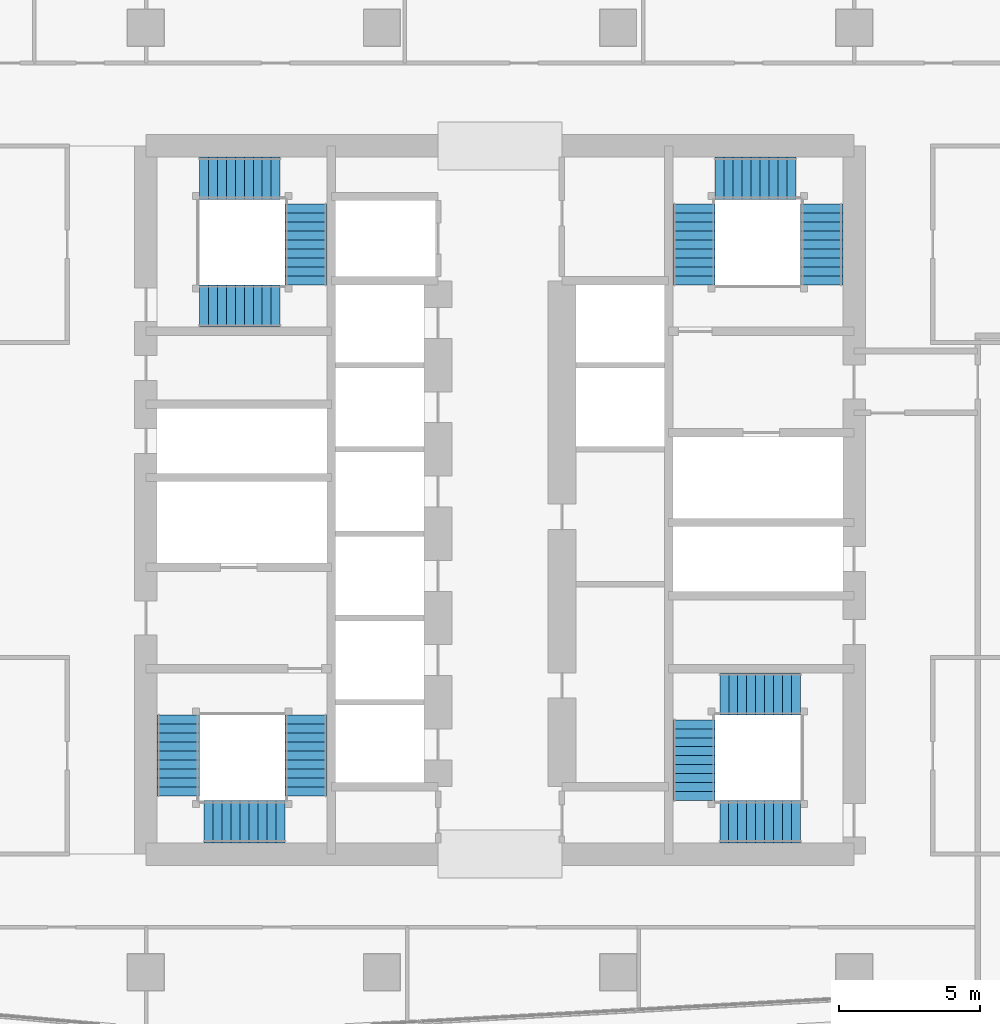
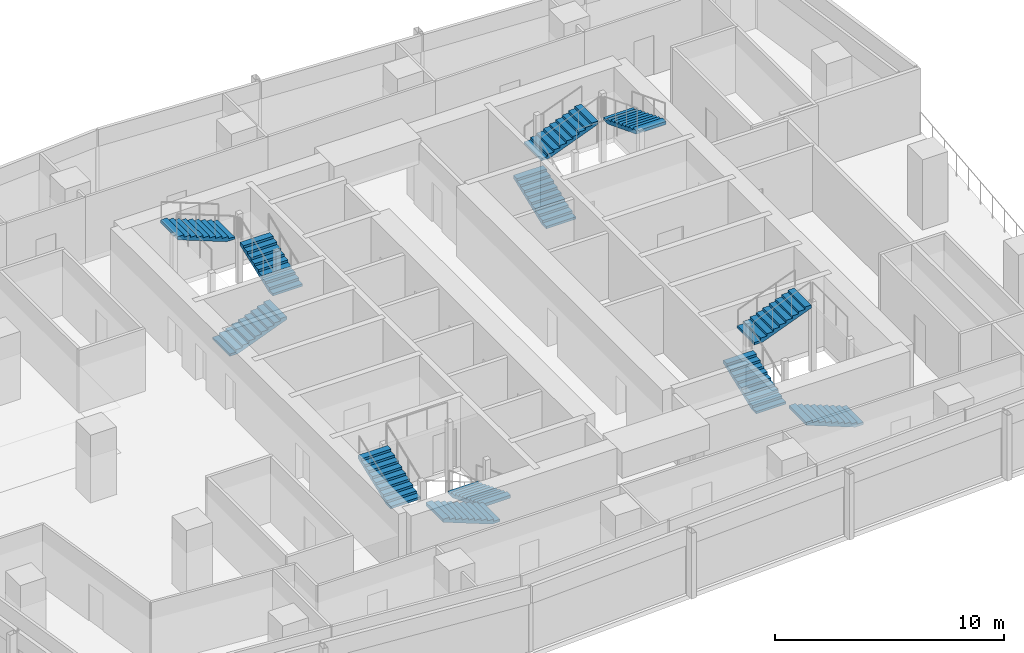
# One storey, part 23 of 28: 12 stair flights, 4 elements without a shape of their own.
"""IFC4 building model written with IfcOpenShell, lengths in metres."""

from ifc_helpers import new_model, si_unit, direction, frame, origin, place, context, subcontext, project, spatial, polyline, outline, extrude, material, type_object, element, aggregate, save


model = new_model("IFC4")

# Units and contexts
model_context = context("Model", 3, precision=1e-05, world=origin(), true_north=direction((0.0, 1.0)))
body_context = subcontext(model_context, "Body", "Model", "MODEL_VIEW")
ifc_project = project(units=[si_unit("LENGTHUNIT", "METRE"), si_unit("AREAUNIT", "SQUARE_METRE"), si_unit("VOLUMEUNIT", "CUBIC_METRE"), si_unit("PLANEANGLEUNIT", "RADIAN"), si_unit("MASSUNIT", "GRAM", prefix="KILO")], contexts=[model_context])

# Site, building, storey
site_placement = place(None, origin())
site = spatial("IfcSite", under=ifc_project, at=site_placement, CompositionType="ELEMENT")
building_placement = place(site_placement, origin())
building = spatial("IfcBuilding", under=site, at=building_placement, Name="Rekha Terrace Tower", CompositionType="ELEMENT")
storey_placement = place(building_placement, frame((0.0, 0.0, 253.85009765625)))
storey = spatial("IfcBuildingStorey", under=building, at=storey_placement, Name="L64", CompositionType="ELEMENT", Elevation=253.85009765625)

# Stair, stair flights
ifc_material = material(Name="Concrete M40", Category="concrete")
stair_type = type_object("IfcStairType", Name="ST30 stair, 30 risers of 125, going 320, 1500 wide flights, 3 flights", PredefinedType="HALF_TURN_STAIR", material=ifc_material)
stair_1_placement = place(storey_placement, origin())
stair_1 = element("IfcStair", 1, at=stair_1_placement, inside=storey, type_object=stair_type, Name="Stair ST1 L64 to L65", PredefinedType="HALF_TURN_STAIR")
stair_flight_type = type_object("IfcStairFlightType", Name="SF10 stair flight, 10 risers of 125, going 320, 1500 wide", PredefinedType="STRAIGHT", material=ifc_material)
stair_flight_1_placement = place(storey_placement, frame((30.89990234375, 25.949951171875, 0.0), z_axis=(0.0, 0.0, 1.0), x_axis=(0.0, -1.0, 0.0)))
stair_flight_1 = element("IfcStairFlight", 2, at=stair_flight_1_placement, type_object=stair_flight_type, Name="ST1 flight 1", NumberOfRisers=10, NumberOfTreads=9, PredefinedType="STRAIGHT", RiserHeight=0.125, TreadLength=0.32, context=body_context, shape_type="SweptSolid", body=[
    extrude(outline(polyline([(0.0, 0.0), (0.0, 0.125), (0.320068359375, 0.125), (0.320068359375, 0.25), (0.639892578125, 0.25), (0.639892578125, 0.375), (0.9599609375, 0.375), (0.9599609375, 0.5), (1.280029296875, 0.5), (1.280029296875, 0.625), (1.60009765625, 0.625), (1.60009765625, 0.75), (1.919921875, 0.75), (1.919921875, 0.875), (2.239990234375, 0.875), (2.239990234375, 1.0), (2.56005859375, 1.0), (2.56005859375, 1.125), (2.8798828125, 1.125), (2.8798828125, 1.25), (2.8798828125, 0.964111328125), (0.412109375, 0.0), (0.0, 0.0)])), frame((0.0, 0.75, 0.0), z_axis=(0.0, -1.0, 0.0), x_axis=(1.0, 0.0, 0.0)), (0.0, 0.0, 1.0), 1.5),
])
stair_flight_2_placement = place(storey_placement, frame((30.14990234375, 22.14990234375, 1.25), z_axis=(0.0, 0.0, 1.0), x_axis=(-1.0, 0.0, 0.0)))
stair_flight_2 = element("IfcStairFlight", 3, at=stair_flight_2_placement, type_object=stair_flight_type, Name="ST1 flight 2", NumberOfRisers=10, NumberOfTreads=9, PredefinedType="STRAIGHT", RiserHeight=0.125, TreadLength=0.32, context=body_context, shape_type="SweptSolid", body=[
    extrude(outline(polyline([(0.0, 0.0), (0.0, 0.125), (0.320068359375, 0.125), (0.320068359375, 0.25), (0.639892578125, 0.25), (0.639892578125, 0.375), (0.9599609375, 0.375), (0.9599609375, 0.5), (1.280029296875, 0.5), (1.280029296875, 0.625), (1.60009765625, 0.625), (1.60009765625, 0.75), (1.919921875, 0.75), (1.919921875, 0.875), (2.239990234375, 0.875), (2.239990234375, 1.0), (2.56005859375, 1.0), (2.56005859375, 1.125), (2.8798828125, 1.125), (2.8798828125, 1.25), (2.8798828125, 0.964111328125), (0.412109375, 0.0), (0.0, 0.0)])), frame((0.0, 0.75, 0.0), z_axis=(0.0, -1.0, 0.0), x_axis=(1.0, 0.0, 0.0)), (0.0, 0.0, 1.0), 1.5),
])
stair_flight_3_placement = place(storey_placement, frame((26.35009765625, 23.070068359375, 2.5), z_axis=(0.0, 0.0, 1.0), x_axis=(0.0, 1.0, 0.0)))
stair_flight_3 = element("IfcStairFlight", 4, at=stair_flight_3_placement, type_object=stair_flight_type, Name="ST1 flight 3", NumberOfRisers=10, NumberOfTreads=9, PredefinedType="STRAIGHT", RiserHeight=0.125, TreadLength=0.32, context=body_context, shape_type="SweptSolid", body=[
    extrude(outline(polyline([(0.0, 0.0), (0.0, 0.125), (0.320068359375, 0.125), (0.320068359375, 0.25), (0.639892578125, 0.25), (0.639892578125, 0.375), (0.9599609375, 0.375), (0.9599609375, 0.5), (1.280029296875, 0.5), (1.280029296875, 0.625), (1.60009765625, 0.625), (1.60009765625, 0.75), (1.919921875, 0.75), (1.919921875, 0.875), (2.239990234375, 0.875), (2.239990234375, 1.0), (2.56005859375, 1.0), (2.56005859375, 1.125), (2.8798828125, 1.125), (2.8798828125, 1.25), (2.8798828125, 0.964111328125), (0.412109375, 0.0), (0.0, 0.0)])), frame((0.0, 0.75, 0.0), z_axis=(0.0, -1.0, 0.0), x_axis=(1.0, 0.0, 0.0)), (0.0, 0.0, 1.0), 1.5),
])
aggregate(stair_1, [stair_flight_1, stair_flight_2, stair_flight_3])

stair_2_placement = place(storey_placement, origin())
stair_2 = element("IfcStair", 5, at=stair_2_placement, inside=storey, type_object=stair_type, Name="Stair ST2 L64 to L65", PredefinedType="HALF_TURN_STAIR")
stair_flight_4_placement = place(storey_placement, frame((44.699951171875, 41.25, 0.0), z_axis=(0.0, 0.0, 1.0), x_axis=(0.0, 1.0, 0.0)))
stair_flight_4 = element("IfcStairFlight", 6, at=stair_flight_4_placement, type_object=stair_flight_type, Name="ST2 flight 1", NumberOfRisers=10, NumberOfTreads=9, PredefinedType="STRAIGHT", RiserHeight=0.125, TreadLength=0.32, context=body_context, shape_type="SweptSolid", body=[
    extrude(outline(polyline([(0.0, 0.0), (0.0, 0.125), (0.320068359375, 0.125), (0.320068359375, 0.25), (0.639892578125, 0.25), (0.639892578125, 0.375), (0.9599609375, 0.375), (0.9599609375, 0.5), (1.280029296875, 0.5), (1.280029296875, 0.625), (1.60009765625, 0.625), (1.60009765625, 0.75), (1.919921875, 0.75), (1.919921875, 0.875), (2.239990234375, 0.875), (2.239990234375, 1.0), (2.56005859375, 1.0), (2.56005859375, 1.125), (2.8798828125, 1.125), (2.8798828125, 1.25), (2.8798828125, 0.964111328125), (0.412109375, 0.0), (0.0, 0.0)])), frame((0.0, 0.75, 0.0), z_axis=(0.0, -1.0, 0.0), x_axis=(1.0, 0.0, 0.0)), (0.0, 0.0, 1.0), 1.5),
])
stair_flight_5_placement = place(storey_placement, frame((45.449951171875, 45.050048828125, 1.25), z_axis=(0.0, 0.0, 1.0), x_axis=(1.0, 0.0, 0.0)))
stair_flight_5 = element("IfcStairFlight", 7, at=stair_flight_5_placement, type_object=stair_flight_type, Name="ST2 flight 2", NumberOfRisers=10, NumberOfTreads=9, PredefinedType="STRAIGHT", RiserHeight=0.125, TreadLength=0.32, context=body_context, shape_type="SweptSolid", body=[
    extrude(outline(polyline([(0.0, 0.0), (0.0, 0.125), (0.320068359375, 0.125), (0.320068359375, 0.25), (0.639892578125, 0.25), (0.639892578125, 0.375), (0.9599609375, 0.375), (0.9599609375, 0.5), (1.280029296875, 0.5), (1.280029296875, 0.625), (1.60009765625, 0.625), (1.60009765625, 0.75), (1.919921875, 0.75), (1.919921875, 0.875), (2.239990234375, 0.875), (2.239990234375, 1.0), (2.56005859375, 1.0), (2.56005859375, 1.125), (2.8798828125, 1.125), (2.8798828125, 1.25), (2.8798828125, 0.964111328125), (0.412109375, 0.0), (0.0, 0.0)])), frame((0.0, 0.75, 0.0), z_axis=(0.0, -1.0, 0.0), x_axis=(1.0, 0.0, 0.0)), (0.0, 0.0, 1.0), 1.5),
])
stair_flight_6_placement = place(storey_placement, frame((49.25, 44.1298828125, 2.5), z_axis=(0.0, 0.0, 1.0), x_axis=(0.0, -1.0, 0.0)))
stair_flight_6 = element("IfcStairFlight", 8, at=stair_flight_6_placement, type_object=stair_flight_type, Name="ST2 flight 3", NumberOfRisers=10, NumberOfTreads=9, PredefinedType="STRAIGHT", RiserHeight=0.125, TreadLength=0.32, context=body_context, shape_type="SweptSolid", body=[
    extrude(outline(polyline([(0.0, 0.0), (0.0, 0.125), (0.320068359375, 0.125), (0.320068359375, 0.25), (0.639892578125, 0.25), (0.639892578125, 0.375), (0.9599609375, 0.375), (0.9599609375, 0.5), (1.280029296875, 0.5), (1.280029296875, 0.625), (1.60009765625, 0.625), (1.60009765625, 0.75), (1.919921875, 0.75), (1.919921875, 0.875), (2.239990234375, 0.875), (2.239990234375, 1.0), (2.56005859375, 1.0), (2.56005859375, 1.125), (2.8798828125, 1.125), (2.8798828125, 1.25), (2.8798828125, 0.964111328125), (0.412109375, 0.0), (0.0, 0.0)])), frame((0.0, 0.75, 0.0), z_axis=(0.0, -1.0, 0.0), x_axis=(1.0, 0.0, 0.0)), (0.0, 0.0, 1.0), 1.5),
])
aggregate(stair_2, [stair_flight_4, stair_flight_5, stair_flight_6])

stair_3_placement = place(storey_placement, origin())
stair_3 = element("IfcStair", 9, at=stair_3_placement, inside=storey, type_object=stair_type, Name="Stair ST3 L64 to L65", PredefinedType="HALF_TURN_STAIR")
stair_flight_7_placement = place(storey_placement, frame((48.5, 22.14990234375, 0.0), z_axis=(0.0, 0.0, 1.0), x_axis=(-1.0, 0.0, 0.0)))
stair_flight_7 = element("IfcStairFlight", 10, at=stair_flight_7_placement, type_object=stair_flight_type, Name="ST3 flight 1", NumberOfRisers=10, NumberOfTreads=9, PredefinedType="STRAIGHT", RiserHeight=0.125, TreadLength=0.32, context=body_context, shape_type="SweptSolid", body=[
    extrude(outline(polyline([(0.0, 0.0), (0.0, 0.125), (0.320068359375, 0.125), (0.320068359375, 0.25), (0.639892578125, 0.25), (0.639892578125, 0.375), (0.9599609375, 0.375), (0.9599609375, 0.5), (1.280029296875, 0.5), (1.280029296875, 0.625), (1.60009765625, 0.625), (1.60009765625, 0.75), (1.919921875, 0.75), (1.919921875, 0.875), (2.239990234375, 0.875), (2.239990234375, 1.0), (2.56005859375, 1.0), (2.56005859375, 1.125), (2.8798828125, 1.125), (2.8798828125, 1.25), (2.8798828125, 0.964111328125), (0.412109375, 0.0), (0.0, 0.0)])), frame((0.0, 0.75, 0.0), z_axis=(0.0, -1.0, 0.0), x_axis=(1.0, 0.0, 0.0)), (0.0, 0.0, 1.0), 1.5),
])
stair_flight_8_placement = place(storey_placement, frame((44.699951171875, 22.89990234375, 1.25), z_axis=(0.0, 0.0, 1.0), x_axis=(0.0, 1.0, 0.0)))
stair_flight_8 = element("IfcStairFlight", 11, at=stair_flight_8_placement, type_object=stair_flight_type, Name="ST3 flight 2", NumberOfRisers=10, NumberOfTreads=9, PredefinedType="STRAIGHT", RiserHeight=0.125, TreadLength=0.32, context=body_context, shape_type="SweptSolid", body=[
    extrude(outline(polyline([(0.0, 0.0), (0.0, 0.125), (0.320068359375, 0.125), (0.320068359375, 0.25), (0.639892578125, 0.25), (0.639892578125, 0.375), (0.9599609375, 0.375), (0.9599609375, 0.5), (1.280029296875, 0.5), (1.280029296875, 0.625), (1.60009765625, 0.625), (1.60009765625, 0.75), (1.919921875, 0.75), (1.919921875, 0.875), (2.239990234375, 0.875), (2.239990234375, 1.0), (2.56005859375, 1.0), (2.56005859375, 1.125), (2.8798828125, 1.125), (2.8798828125, 1.25), (2.8798828125, 0.964111328125), (0.412109375, 0.0), (0.0, 0.0)])), frame((0.0, 0.75, 0.0), z_axis=(0.0, -1.0, 0.0), x_axis=(1.0, 0.0, 0.0)), (0.0, 0.0, 1.0), 1.5),
])
stair_flight_9_placement = place(storey_placement, frame((45.6201171875, 26.699951171875, 2.5), z_axis=(0.0, 0.0, 1.0), x_axis=(1.0, 0.0, 0.0)))
stair_flight_9 = element("IfcStairFlight", 12, at=stair_flight_9_placement, type_object=stair_flight_type, Name="ST3 flight 3", NumberOfRisers=10, NumberOfTreads=9, PredefinedType="STRAIGHT", RiserHeight=0.125, TreadLength=0.32, context=body_context, shape_type="SweptSolid", body=[
    extrude(outline(polyline([(0.0, 0.0), (0.0, 0.125), (0.320068359375, 0.125), (0.320068359375, 0.25), (0.639892578125, 0.25), (0.639892578125, 0.375), (0.9599609375, 0.375), (0.9599609375, 0.5), (1.280029296875, 0.5), (1.280029296875, 0.625), (1.60009765625, 0.625), (1.60009765625, 0.75), (1.919921875, 0.75), (1.919921875, 0.875), (2.239990234375, 0.875), (2.239990234375, 1.0), (2.56005859375, 1.0), (2.56005859375, 1.125), (2.8798828125, 1.125), (2.8798828125, 1.25), (2.8798828125, 0.964111328125), (0.412109375, 0.0), (0.0, 0.0)])), frame((0.0, 0.75, 0.0), z_axis=(0.0, -1.0, 0.0), x_axis=(1.0, 0.0, 0.0)), (0.0, 0.0, 1.0), 1.5),
])
aggregate(stair_3, [stair_flight_7, stair_flight_8, stair_flight_9])

stair_4_placement = place(storey_placement, origin())
stair_4 = element("IfcStair", 13, at=stair_4_placement, inside=storey, type_object=stair_type, Name="Stair ST4 L64 to L65", PredefinedType="HALF_TURN_STAIR")
stair_flight_10_placement = place(storey_placement, frame((27.10009765625, 40.5, 0.0), z_axis=(0.0, 0.0, 1.0), x_axis=(1.0, 0.0, 0.0)))
stair_flight_10 = element("IfcStairFlight", 14, at=stair_flight_10_placement, type_object=stair_flight_type, Name="ST4 flight 1", NumberOfRisers=10, NumberOfTreads=9, PredefinedType="STRAIGHT", RiserHeight=0.125, TreadLength=0.32, context=body_context, shape_type="SweptSolid", body=[
    extrude(outline(polyline([(0.0, 0.0), (0.0, 0.125), (0.320068359375, 0.125), (0.320068359375, 0.25), (0.639892578125, 0.25), (0.639892578125, 0.375), (0.9599609375, 0.375), (0.9599609375, 0.5), (1.280029296875, 0.5), (1.280029296875, 0.625), (1.60009765625, 0.625), (1.60009765625, 0.75), (1.919921875, 0.75), (1.919921875, 0.875), (2.239990234375, 0.875), (2.239990234375, 1.0), (2.56005859375, 1.0), (2.56005859375, 1.125), (2.8798828125, 1.125), (2.8798828125, 1.25), (2.8798828125, 0.964111328125), (0.412109375, 0.0), (0.0, 0.0)])), frame((0.0, 0.75, 0.0), z_axis=(0.0, -1.0, 0.0), x_axis=(1.0, 0.0, 0.0)), (0.0, 0.0, 1.0), 1.5),
])
stair_flight_11_placement = place(storey_placement, frame((30.89990234375, 41.25, 1.25), z_axis=(0.0, 0.0, 1.0), x_axis=(0.0, 1.0, 0.0)))
stair_flight_11 = element("IfcStairFlight", 15, at=stair_flight_11_placement, type_object=stair_flight_type, Name="ST4 flight 2", NumberOfRisers=10, NumberOfTreads=9, PredefinedType="STRAIGHT", RiserHeight=0.125, TreadLength=0.32, context=body_context, shape_type="SweptSolid", body=[
    extrude(outline(polyline([(0.0, 0.0), (0.0, 0.125), (0.320068359375, 0.125), (0.320068359375, 0.25), (0.639892578125, 0.25), (0.639892578125, 0.375), (0.9599609375, 0.375), (0.9599609375, 0.5), (1.280029296875, 0.5), (1.280029296875, 0.625), (1.60009765625, 0.625), (1.60009765625, 0.75), (1.919921875, 0.75), (1.919921875, 0.875), (2.239990234375, 0.875), (2.239990234375, 1.0), (2.56005859375, 1.0), (2.56005859375, 1.125), (2.8798828125, 1.125), (2.8798828125, 1.25), (2.8798828125, 0.964111328125), (0.412109375, 0.0), (0.0, 0.0)])), frame((0.0, 0.75, 0.0), z_axis=(0.0, -1.0, 0.0), x_axis=(1.0, 0.0, 0.0)), (0.0, 0.0, 1.0), 1.5),
])
stair_flight_12_placement = place(storey_placement, frame((29.97998046875, 45.050048828125, 2.5), z_axis=(0.0, 0.0, 1.0), x_axis=(-1.0, 0.0, 0.0)))
stair_flight_12 = element("IfcStairFlight", 16, at=stair_flight_12_placement, type_object=stair_flight_type, Name="ST4 flight 3", NumberOfRisers=10, NumberOfTreads=9, PredefinedType="STRAIGHT", RiserHeight=0.125, TreadLength=0.32, context=body_context, shape_type="SweptSolid", body=[
    extrude(outline(polyline([(0.0, 0.0), (0.0, 0.125), (0.320068359375, 0.125), (0.320068359375, 0.25), (0.639892578125, 0.25), (0.639892578125, 0.375), (0.9599609375, 0.375), (0.9599609375, 0.5), (1.280029296875, 0.5), (1.280029296875, 0.625), (1.60009765625, 0.625), (1.60009765625, 0.75), (1.919921875, 0.75), (1.919921875, 0.875), (2.239990234375, 0.875), (2.239990234375, 1.0), (2.56005859375, 1.0), (2.56005859375, 1.125), (2.8798828125, 1.125), (2.8798828125, 1.25), (2.8798828125, 0.964111328125), (0.412109375, 0.0), (0.0, 0.0)])), frame((0.0, 0.75, 0.0), z_axis=(0.0, -1.0, 0.0), x_axis=(1.0, 0.0, 0.0)), (0.0, 0.0, 1.0), 1.5),
])
aggregate(stair_4, [stair_flight_10, stair_flight_11, stair_flight_12])

save(model, "model.ifc")
